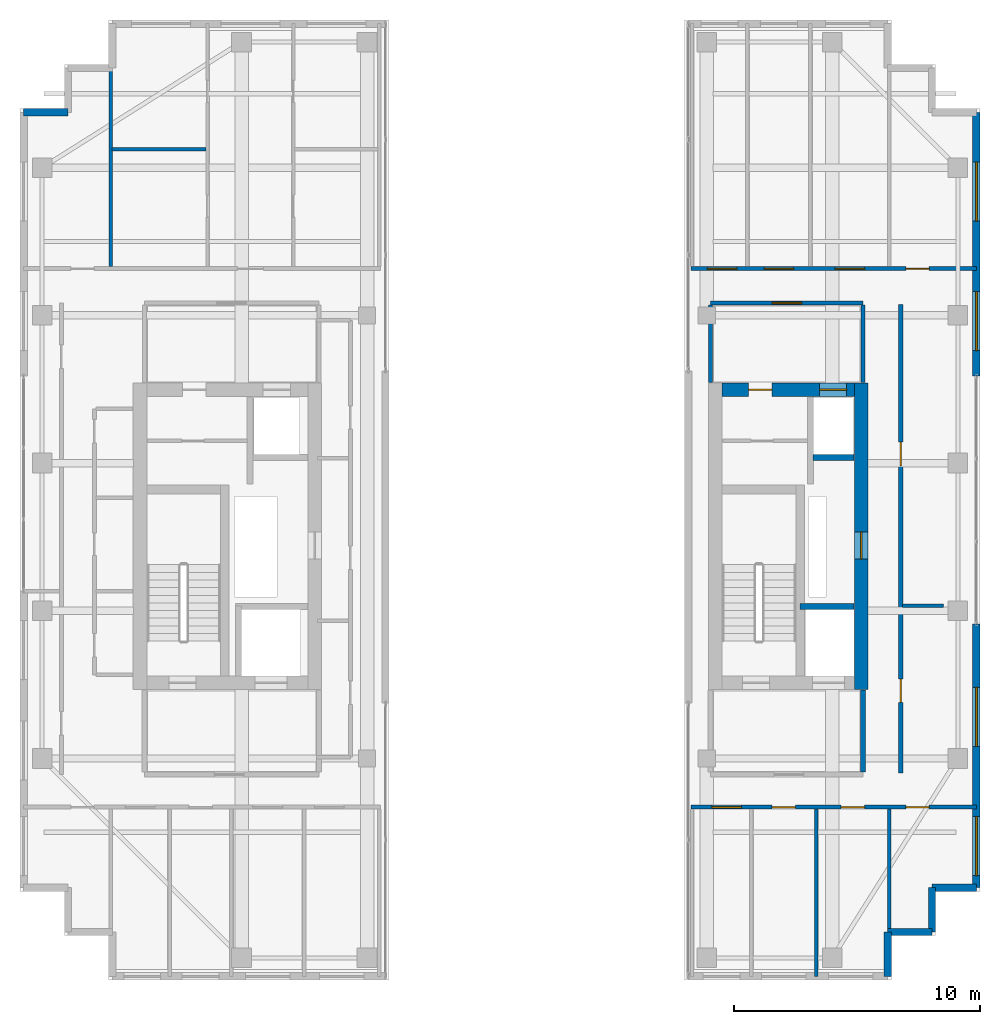
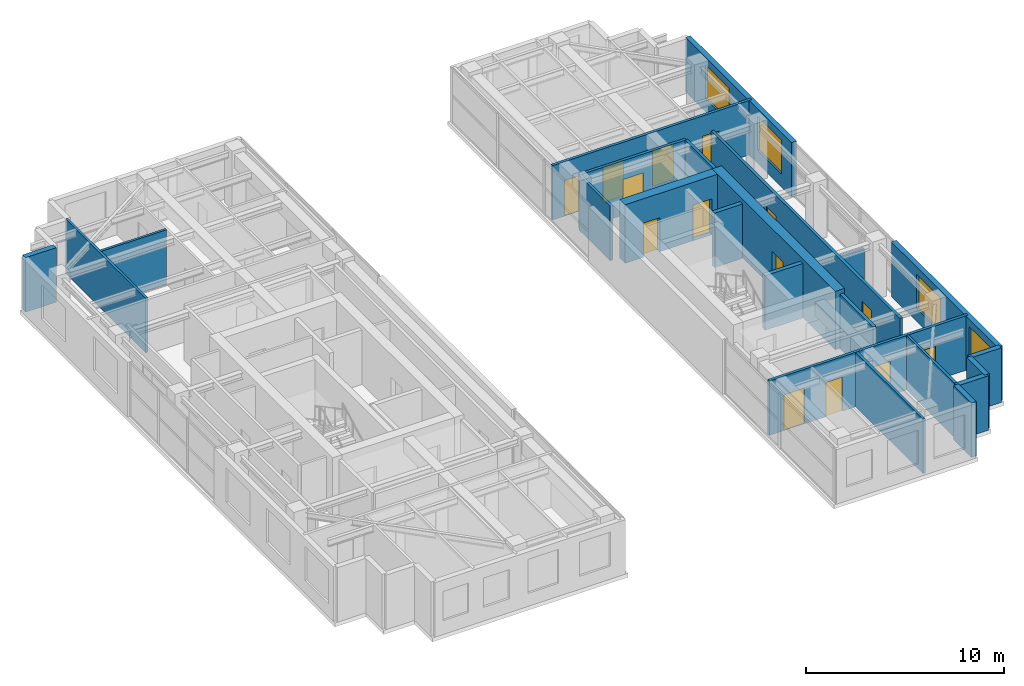
# One storey, part 20 of 23: 23 walls, 14 doors, 4 windows, 18 openings.
"""IFC4 building model written with IfcOpenShell, lengths in metres."""

from ifc_helpers import new_model, si_unit, direction, frame, frame_2d, origin, place, context, subcontext, project, spatial, rectangle, extrude, source, transform, mapped, material, layer, layer_set, type_object, element, fill, save


model = new_model("IFC4")

# Units and contexts
model_context = context("Model", 3, precision=1e-05, world=origin(), true_north=direction((0.0, 1.0)))
body_context = subcontext(model_context, "Body", "Model", "MODEL_VIEW")
ifc_project = project(units=[si_unit("LENGTHUNIT", "METRE"), si_unit("AREAUNIT", "SQUARE_METRE"), si_unit("VOLUMEUNIT", "CUBIC_METRE"), si_unit("PLANEANGLEUNIT", "RADIAN"), si_unit("MASSUNIT", "GRAM", prefix="KILO")], contexts=[model_context])

# Site, building, storey
site_placement = place(None, origin())
site = spatial("IfcSite", under=ifc_project, at=site_placement, CompositionType="ELEMENT")
building_placement = place(site_placement, origin())
building = spatial("IfcBuilding", under=site, at=building_placement, Name="Khoralis Quay Care Tower", CompositionType="ELEMENT")
storey_placement = place(building_placement, frame((0.0, 0.0, 252.89990234375)))
storey = spatial("IfcBuildingStorey", under=building, at=storey_placement, Name="L66", CompositionType="ELEMENT", Elevation=252.89990234375)

# Wall
ifc_material_1 = material(Name="Gypsum plasterboard on acoustic metal stud")
ifc_layer_1 = layer(ifc_material_1, 0.199951171875)
ifc_layer_set_1 = layer_set([ifc_layer_1], Name="Gypsum plasterboard on acoustic metal stud")
wall_type_1 = type_object("IfcWallType", Name="WL-COMP-200", PredefinedType="PARTITIONING", material=ifc_layer_set_1)
wall_1_placement = place(storey_placement, frame((37.25, 11.445068359375, 0.0), z_axis=(0.0, 0.0, 1.0), x_axis=(0.0, 1.0, 0.0)))
element("IfcWall", 1, at=wall_1_placement, inside=storey, type_object=wall_type_1, Name="L66 East Firefighting Lobby East Wall", PredefinedType="PARTITIONING", context=body_context, shape_type="SweptSolid", body=[
    extrude(rectangle(XDim=3.3349609375, YDim=0.199951171875, at=frame_2d((1.66748046875, 0.0))), origin(), (0.0, 0.0, 1.0), 3.360107421875),
])

# Wall, opening, door
ifc_material_2 = material(Name="Concrete C65/80", Category="concrete")
ifc_layer_2 = layer(ifc_material_2, 0.550048828125)
ifc_layer_set_2 = layer_set([ifc_layer_2], Name="Concrete C65/80")
wall_type_2 = type_object("IfcWallType", Name="WL-CORE-550", PredefinedType="SHEAR", material=ifc_layer_set_2)
wall_2_placement = place(storey_placement, frame((37.175048828125, 14.800048828125, 0.0), z_axis=(0.0, 0.0, 1.0), x_axis=(0.0, 1.0, 0.0)))
wall_2 = element("IfcWall", 2, at=wall_2_placement, inside=storey, type_object=wall_type_2, Name="L66 ECORE East Shear Wall", PredefinedType="SHEAR", context=body_context, shape_type="SweptSolid", body=[
    extrude(rectangle(XDim=12.449951171875, YDim=0.550048828125, at=frame_2d((6.22509765625, 0.0))), origin(), (0.0, 0.0, 1.0), 3.60009765625),
])
opening_1_placement = place(wall_2_placement, frame((5.300048828125, 0.0, 0.0)))
opening_1 = element("IfcOpeningElement", 3, at=opening_1_placement, cuts=wall_2, Name="Opening SD1", PredefinedType="OPENING", context=body_context, shape_type="SweptSolid", body=[
    extrude(rectangle(XDim=1.10009765625, YDim=2.199951171875, at=frame_2d((0.550048828125, 1.10009765625))), frame((0.0, 0.28515625, 0.0), z_axis=(0.0, -1.0, 0.0), x_axis=(1.0, 0.0, 0.0)), (0.0, 0.0, 1.0), 0.570068359375),
])
ifc_material_3 = material(Name="Fire-rated painted steel", Category="steel")
door_type_1 = type_object("IfcDoorType", Name="DR-STAIR-1100X2200", OperationType="NOTDEFINED", PredefinedType="DOOR", material=ifc_material_3)
shared_shape_1 = source(origin(), body_context, "Body", "SweptSolid", [
    extrude(rectangle(XDim=1.10009765625, YDim=2.199951171875, at=frame_2d((0.550048828125, 1.10009765625))), frame((0.0, 0.02490234375, 0.0), z_axis=(0.0, -1.0, 0.0), x_axis=(1.0, 0.0, 0.0)), (0.0, 0.0, 1.0), 0.050048828125),
])
door_1_placement = place(opening_1_placement, frame((1.10009765625, 0.0, 0.0), z_axis=(0.0, 0.0, 1.0), x_axis=(-1.0, 0.0, 0.0)))
door_1 = element("IfcDoor", 4, at=door_1_placement, inside=storey, type_object=door_type_1, Name="L66 East MEP Riser Door", OperationType="SINGLE_SWING_LEFT", OverallHeight=2.199951171875, OverallWidth=1.10009765625, PredefinedType="DOOR", context=body_context, shape_type="MappedRepresentation", body=[
    mapped(shared_shape_1, transform((0.0, 0.0, 0.0), scale=1.0)),
])
fill(opening_1, door_1)

# Wall, openings, doors
wall_3_placement = place(storey_placement, frame((31.52001953125, 26.97509765625, 0.0), z_axis=(0.0, 0.0, 1.0), x_axis=(1.0, 0.0, 0.0)))
wall_3 = element("IfcWall", 5, at=wall_3_placement, inside=storey, type_object=wall_type_2, Name="L66 ECORE North Shear Wall", PredefinedType="SHEAR", context=body_context, shape_type="SweptSolid", body=[
    extrude(rectangle(XDim=5.3798828125, YDim=0.550048828125, at=frame_2d((2.68994140625, 0.0))), origin(), (0.0, 0.0, 1.0), 3.60009765625),
])
opening_2_placement = place(wall_3_placement, frame((1.080078125, 0.0, 0.0)))
opening_2 = element("IfcOpeningElement", 6, at=opening_2_placement, cuts=wall_3, Name="Opening ID1", PredefinedType="OPENING", context=body_context, shape_type="SweptSolid", body=[
    extrude(rectangle(XDim=0.949951171875, YDim=2.10009765625, at=frame_2d((0.47509765625, 1.050048828125))), frame((0.0, 0.28515625, 0.0), z_axis=(0.0, -1.0, 0.0), x_axis=(1.0, 0.0, 0.0)), (0.0, 0.0, 1.0), 0.570068359375),
])
opening_3_placement = place(wall_3_placement, frame((3.9599609375, 0.0, 0.0)))
opening_3 = element("IfcOpeningElement", 7, at=opening_3_placement, cuts=wall_3, Name="Opening LD1", PredefinedType="OPENING", context=body_context, shape_type="SweptSolid", body=[
    extrude(rectangle(XDim=1.10009765625, YDim=2.199951171875, at=frame_2d((0.550048828125, 1.10009765625))), frame((0.0, 0.28515625, 0.0), z_axis=(0.0, -1.0, 0.0), x_axis=(1.0, 0.0, 0.0)), (0.0, 0.0, 1.0), 0.570068359375),
])
ifc_material_4 = material(Name="Brushed stainless steel", Category="steel")
door_type_2 = type_object("IfcDoorType", Name="DR-LIFT-1100X2200", OperationType="SLIDING_TO_LEFT", PredefinedType="DOOR", material=ifc_material_4)
shared_shape_2 = source(origin(), body_context, "Body", "SweptSolid", [
    extrude(rectangle(XDim=1.10009765625, YDim=2.199951171875, at=frame_2d((0.550048828125, 1.10009765625))), frame((0.0, 0.02490234375, 0.0), z_axis=(0.0, -1.0, 0.0), x_axis=(1.0, 0.0, 0.0)), (0.0, 0.0, 1.0), 0.050048828125),
])
door_2_placement = place(opening_3_placement, origin())
door_2 = element("IfcDoor", 8, at=door_2_placement, inside=storey, type_object=door_type_2, Name="L66 Lift PLH2 Landing Door", OperationType="SLIDING_TO_LEFT", OverallHeight=2.199951171875, OverallWidth=1.10009765625, PredefinedType="DOOR", context=body_context, shape_type="MappedRepresentation", body=[
    mapped(shared_shape_2, transform((0.0, 0.0, 0.0), scale=1.0)),
])
fill(opening_3, door_2)
ifc_material_5 = material(Name="Acoustic hardwood timber", Category="wood")
door_type_3 = type_object("IfcDoorType", Name="DR-ROOM-950X2100", OperationType="NOTDEFINED", PredefinedType="DOOR", material=ifc_material_5)
shared_shape_3 = source(origin(), body_context, "Body", "SweptSolid", [
    extrude(rectangle(XDim=0.949951171875, YDim=2.10009765625, at=frame_2d((0.47509765625, 1.050048828125))), frame((0.0, 0.02490234375, 0.0), z_axis=(0.0, -1.0, 0.0), x_axis=(1.0, 0.0, 0.0)), (0.0, 0.0, 1.0), 0.050048828125),
])
door_3_placement = place(opening_2_placement, frame((0.949951171875, 0.0, 0.0), z_axis=(0.0, 0.0, 1.0), x_axis=(-1.0, 0.0, 0.0)))
door_3 = element("IfcDoor", 9, at=door_3_placement, inside=storey, type_object=door_type_3, Name="L66 Nutrition Pantry Door", OperationType="SINGLE_SWING_LEFT", OverallHeight=2.10009765625, OverallWidth=0.949951171875, PredefinedType="DOOR", context=body_context, shape_type="MappedRepresentation", body=[
    mapped(shared_shape_3, transform((0.0, 0.0, 0.0), scale=1.0)),
])
fill(opening_2, door_3)

# Wall, opening, door
ifc_layer_3 = layer(ifc_material_1, 0.1650390625)
ifc_layer_set_3 = layer_set([ifc_layer_3], Name="Gypsum plasterboard on acoustic metal stud")
wall_type_3 = type_object("IfcWallType", Name="WL-CORR-165", PredefinedType="PARTITIONING", material=ifc_layer_set_3)
wall_4_placement = place(storey_placement, frame((31.050048828125, 30.5, 0.0), z_axis=(0.0, 0.0, 1.0), x_axis=(1.0, 0.0, 0.0)))
wall_4 = element("IfcWall", 10, at=wall_4_placement, inside=storey, type_object=wall_type_3, Name="L66 East Lift Lobby North Wall", PredefinedType="PARTITIONING", context=body_context, shape_type="SweptSolid", body=[
    extrude(rectangle(XDim=6.199951171875, YDim=0.1650390625, at=frame_2d((3.10009765625, 0.0))), origin(), (0.0, 0.0, 1.0), 3.360107421875),
])
opening_4_placement = place(wall_4_placement, frame((2.5, 0.0, 0.0)))
opening_4 = element("IfcOpeningElement", 11, at=opening_4_placement, cuts=wall_4, Name="Opening FD1", PredefinedType="OPENING", context=body_context, shape_type="SweptSolid", body=[
    extrude(rectangle(XDim=1.199951171875, YDim=2.199951171875, at=frame_2d((0.60009765625, 1.10009765625))), frame((0.0, 0.092529296875, 0.0), z_axis=(0.0, -1.0, 0.0), x_axis=(1.0, 0.0, 0.0)), (0.0, 0.0, 1.0), 0.18505859375),
])
door_type_4 = type_object("IfcDoorType", Name="DR-FFL-1200X2200", OperationType="NOTDEFINED", PredefinedType="DOOR", material=ifc_material_3)
shared_shape_4 = source(origin(), body_context, "Body", "SweptSolid", [
    extrude(rectangle(XDim=1.199951171875, YDim=2.199951171875, at=frame_2d((0.60009765625, 1.10009765625))), frame((0.0, 0.02490234375, 0.0), z_axis=(0.0, -1.0, 0.0), x_axis=(1.0, 0.0, 0.0)), (0.0, 0.0, 1.0), 0.050048828125),
])
door_4_placement = place(opening_4_placement, origin())
door_4 = element("IfcDoor", 12, at=door_4_placement, inside=storey, type_object=door_type_4, Name="L66 East Lift Lobby Double Door", OperationType="DOUBLE_DOOR_SINGLE_SWING", OverallHeight=2.199951171875, OverallWidth=1.199951171875, PredefinedType="DOOR", context=body_context, shape_type="MappedRepresentation", body=[
    mapped(shared_shape_4, transform((0.0, 0.0, 0.0), scale=1.0)),
])
fill(opening_4, door_4)

# Walls
for number, where, z_axis, x_axis, name in (
    (13, (31.050048828125, 27.27001953125, 0.0), (0.0, 0.0, 1.0), (0.0, 1.0, 0.0), "L66 East Lift Lobby West Wall"),
    (14, (37.25, 27.27001953125, 0.0), (0.0, 0.0, 1.0), (0.0, 1.0, 0.0), "L66 East Lift Lobby East Wall"),
):
    element("IfcWall", number, at=place(storey_placement, frame(where, z_axis=z_axis, x_axis=x_axis)), inside=storey, type_object=wall_type_3, Name=name, PredefinedType="PARTITIONING", context=body_context, shape_type="SweptSolid", body=[
        extrude(rectangle(XDim=3.152587890625, YDim=0.1650390625, at=frame_2d((1.576171875, 0.0))), origin(), (0.0, 0.0, 1.0), 3.360107421875),
    ])

# Wall, openings, doors
wall_5_placement = place(storey_placement, frame((30.25, 10.02001953125, 0.0), z_axis=(0.0, 0.0, 1.0), x_axis=(1.0, 0.0, 0.0)))
wall_5 = element("IfcWall", 15, at=wall_5_placement, inside=storey, type_object=wall_type_3, Name="L66 East Wing South Corridor Wall", PredefinedType="PARTITIONING", context=body_context, shape_type="SweptSolid", body=[
    extrude(rectangle(XDim=11.60498046875, YDim=0.1650390625, at=frame_2d((5.802490234375, 0.0))), origin(), (0.0, 0.0, 1.0), 3.360107421875),
])
opening_5_placement = place(wall_5_placement, frame((0.85498046875, 0.0, 0.0)))
opening_5 = element("IfcOpeningElement", 16, at=opening_5_placement, cuts=wall_5, Name="Opening FD1", PredefinedType="OPENING", context=body_context, shape_type="SweptSolid", body=[
    extrude(rectangle(XDim=1.199951171875, YDim=2.199951171875, at=frame_2d((0.60009765625, 1.10009765625))), frame((0.0, 0.092529296875, 0.0), z_axis=(0.0, -1.0, 0.0), x_axis=(1.0, 0.0, 0.0)), (0.0, 0.0, 1.0), 0.18505859375),
])
opening_6_placement = place(wall_5_placement, frame((3.304931640625, 0.0, 0.0)))
opening_6 = element("IfcOpeningElement", 17, at=opening_6_placement, cuts=wall_5, Name="Opening ID1", PredefinedType="OPENING", context=body_context, shape_type="SweptSolid", body=[
    extrude(rectangle(XDim=0.949951171875, YDim=2.10009765625, at=frame_2d((0.47509765625, 1.050048828125))), frame((0.0, 0.092529296875, 0.0), z_axis=(0.0, -1.0, 0.0), x_axis=(1.0, 0.0, 0.0)), (0.0, 0.0, 1.0), 0.18505859375),
])
opening_7_placement = place(wall_5_placement, frame((6.110107421875, 0.0, 0.0)))
opening_7 = element("IfcOpeningElement", 18, at=opening_7_placement, cuts=wall_5, Name="Opening ID1", PredefinedType="OPENING", context=body_context, shape_type="SweptSolid", body=[
    extrude(rectangle(XDim=0.949951171875, YDim=2.10009765625, at=frame_2d((0.47509765625, 1.050048828125))), frame((0.0, 0.092529296875, 0.0), z_axis=(0.0, -1.0, 0.0), x_axis=(1.0, 0.0, 0.0)), (0.0, 0.0, 1.0), 0.18505859375),
])
opening_8_placement = place(wall_5_placement, frame((8.735107421875, 0.0, 0.0)))
opening_8 = element("IfcOpeningElement", 19, at=opening_8_placement, cuts=wall_5, Name="Opening ID1", PredefinedType="OPENING", context=body_context, shape_type="SweptSolid", body=[
    extrude(rectangle(XDim=0.949951171875, YDim=2.10009765625, at=frame_2d((0.47509765625, 1.050048828125))), frame((0.0, 0.092529296875, 0.0), z_axis=(0.0, -1.0, 0.0), x_axis=(1.0, 0.0, 0.0)), (0.0, 0.0, 1.0), 0.18505859375),
])
door_5_placement = place(opening_5_placement, frame((1.199951171875, 0.0, 0.0), z_axis=(0.0, 0.0, 1.0), x_axis=(-1.0, 0.0, 0.0)))
door_5 = element("IfcDoor", 20, at=door_5_placement, inside=storey, type_object=door_type_4, Name="L66 Senior Wellness Pharmacy Shop Door", OperationType="DOUBLE_DOOR_SINGLE_SWING", OverallHeight=2.199951171875, OverallWidth=1.199951171875, PredefinedType="DOOR", context=body_context, shape_type="MappedRepresentation", body=[
    mapped(shared_shape_4, transform((0.0, 0.0, 0.0), scale=1.0)),
])
fill(opening_5, door_5)
door_6_placement = place(opening_6_placement, frame((0.949951171875, 0.0, 0.0), z_axis=(0.0, 0.0, 1.0), x_axis=(-1.0, 0.0, 0.0)))
door_6 = element("IfcDoor", 21, at=door_6_placement, inside=storey, type_object=door_type_3, Name="L66 Family Case Conference Room Door", OperationType="SINGLE_SWING_LEFT", OverallHeight=2.10009765625, OverallWidth=0.949951171875, PredefinedType="DOOR", context=body_context, shape_type="MappedRepresentation", body=[
    mapped(shared_shape_3, transform((0.0, 0.0, 0.0), scale=1.0)),
])
fill(opening_6, door_6)
door_7_placement = place(opening_7_placement, frame((0.949951171875, 0.0, 0.0), z_axis=(0.0, 0.0, 1.0), x_axis=(-1.0, 0.0, 0.0)))
door_7 = element("IfcDoor", 22, at=door_7_placement, inside=storey, type_object=door_type_3, Name="L66 Care Coordination Office Door", OperationType="SINGLE_SWING_RIGHT", OverallHeight=2.10009765625, OverallWidth=0.949951171875, PredefinedType="DOOR", context=body_context, shape_type="MappedRepresentation", body=[
    mapped(shared_shape_3, transform((0.0, 0.0, 0.0), scale=1.0)),
])
fill(opening_7, door_7)
door_8_placement = place(opening_8_placement, frame((0.949951171875, 0.0, 0.0), z_axis=(0.0, 0.0, 1.0), x_axis=(-1.0, 0.0, 0.0)))
door_8 = element("IfcDoor", 23, at=door_8_placement, inside=storey, type_object=door_type_3, Name="L66 SE Corner Door", OperationType="SINGLE_SWING_RIGHT", OverallHeight=2.10009765625, OverallWidth=0.949951171875, PredefinedType="DOOR", context=body_context, shape_type="MappedRepresentation", body=[
    mapped(shared_shape_3, transform((0.0, 0.0, 0.0), scale=1.0)),
])
fill(opening_8, door_8)

wall_6_placement = place(storey_placement, frame((30.25, 31.89990234375, 0.0), z_axis=(0.0, 0.0, 1.0), x_axis=(1.0, 0.0, 0.0)))
wall_6 = element("IfcWall", 24, at=wall_6_placement, inside=storey, type_object=wall_type_3, Name="L66 East Wing North Corridor Wall", PredefinedType="PARTITIONING", context=body_context, shape_type="SweptSolid", body=[
    extrude(rectangle(XDim=11.60498046875, YDim=0.1650390625, at=frame_2d((5.802490234375, 0.0))), origin(), (0.0, 0.0, 1.0), 3.360107421875),
])
opening_9_placement = place(wall_6_placement, frame((0.675048828125, 0.0, 0.0)))
opening_9 = element("IfcOpeningElement", 25, at=opening_9_placement, cuts=wall_6, Name="Opening FD1", PredefinedType="OPENING", context=body_context, shape_type="SweptSolid", body=[
    extrude(rectangle(XDim=1.199951171875, YDim=2.199951171875, at=frame_2d((0.60009765625, 1.10009765625))), frame((0.0, 0.092529296875, 0.0), z_axis=(0.0, -1.0, 0.0), x_axis=(1.0, 0.0, 0.0)), (0.0, 0.0, 1.0), 0.18505859375),
])
opening_10_placement = place(wall_6_placement, frame((2.97998046875, 0.0, 0.0)))
opening_10 = element("IfcOpeningElement", 26, at=opening_10_placement, cuts=wall_6, Name="Opening FD1", PredefinedType="OPENING", context=body_context, shape_type="SweptSolid", body=[
    extrude(rectangle(XDim=1.199951171875, YDim=2.199951171875, at=frame_2d((0.60009765625, 1.10009765625))), frame((0.0, 0.092529296875, 0.0), z_axis=(0.0, -1.0, 0.0), x_axis=(1.0, 0.0, 0.0)), (0.0, 0.0, 1.0), 0.18505859375),
])
opening_11_placement = place(wall_6_placement, frame((5.864990234375, 0.0, 0.0)))
opening_11 = element("IfcOpeningElement", 27, at=opening_11_placement, cuts=wall_6, Name="Opening FD1", PredefinedType="OPENING", context=body_context, shape_type="SweptSolid", body=[
    extrude(rectangle(XDim=1.199951171875, YDim=2.199951171875, at=frame_2d((0.60009765625, 1.10009765625))), frame((0.0, 0.092529296875, 0.0), z_axis=(0.0, -1.0, 0.0), x_axis=(1.0, 0.0, 0.0)), (0.0, 0.0, 1.0), 0.18505859375),
])
opening_12_placement = place(wall_6_placement, frame((8.735107421875, 0.0, 0.0)))
opening_12 = element("IfcOpeningElement", 28, at=opening_12_placement, cuts=wall_6, Name="Opening ID1", PredefinedType="OPENING", context=body_context, shape_type="SweptSolid", body=[
    extrude(rectangle(XDim=0.949951171875, YDim=2.10009765625, at=frame_2d((0.47509765625, 1.050048828125))), frame((0.0, 0.092529296875, 0.0), z_axis=(0.0, -1.0, 0.0), x_axis=(1.0, 0.0, 0.0)), (0.0, 0.0, 1.0), 0.18505859375),
])
door_9_placement = place(opening_9_placement, origin())
door_9 = element("IfcDoor", 29, at=door_9_placement, inside=storey, type_object=door_type_4, Name="L66 Senior Wellness Pharmacy Shop Door", OperationType="DOUBLE_DOOR_SINGLE_SWING", OverallHeight=2.199951171875, OverallWidth=1.199951171875, PredefinedType="DOOR", context=body_context, shape_type="MappedRepresentation", body=[
    mapped(shared_shape_4, transform((0.0, 0.0, 0.0), scale=1.0)),
])
fill(opening_9, door_9)
door_10_placement = place(opening_10_placement, origin())
door_10 = element("IfcDoor", 30, at=door_10_placement, inside=storey, type_object=door_type_4, Name="L66 Assisted Communal Dining Room Door", OperationType="DOUBLE_DOOR_SINGLE_SWING", OverallHeight=2.199951171875, OverallWidth=1.199951171875, PredefinedType="DOOR", context=body_context, shape_type="MappedRepresentation", body=[
    mapped(shared_shape_4, transform((0.0, 0.0, 0.0), scale=1.0)),
])
fill(opening_10, door_10)
door_11_placement = place(opening_11_placement, origin())
door_11 = element("IfcDoor", 31, at=door_11_placement, inside=storey, type_object=door_type_4, Name="L66 Resident Communal Day Lounge Door", OperationType="DOUBLE_DOOR_SINGLE_SWING", OverallHeight=2.199951171875, OverallWidth=1.199951171875, PredefinedType="DOOR", context=body_context, shape_type="MappedRepresentation", body=[
    mapped(shared_shape_4, transform((0.0, 0.0, 0.0), scale=1.0)),
])
fill(opening_11, door_11)
door_12_placement = place(opening_12_placement, origin())
door_12 = element("IfcDoor", 32, at=door_12_placement, inside=storey, type_object=door_type_3, Name="L66 NE Corner Door", OperationType="SINGLE_SWING_LEFT", OverallHeight=2.10009765625, OverallWidth=0.949951171875, PredefinedType="DOOR", context=body_context, shape_type="MappedRepresentation", body=[
    mapped(shared_shape_3, transform((0.0, 0.0, 0.0), scale=1.0)),
])
fill(opening_12, door_12)

wall_7_placement = place(storey_placement, frame((38.780029296875, 11.39990234375, 0.0), z_axis=(0.0, 0.0, 1.0), x_axis=(0.0, 1.0, 0.0)))
wall_7 = element("IfcWall", 33, at=wall_7_placement, inside=storey, type_object=wall_type_3, Name="L66 East High-Rise Suite Wall", PredefinedType="PARTITIONING", context=body_context, shape_type="SweptSolid", body=[
    extrude(rectangle(XDim=19.050048828125, YDim=0.1650390625, at=frame_2d((9.52490234375, 0.0))), origin(), (0.0, 0.0, 1.0), 3.360107421875),
])
opening_13_placement = place(wall_7_placement, frame((2.875, 0.0, 0.0)))
opening_13 = element("IfcOpeningElement", 34, at=opening_13_placement, cuts=wall_7, Name="Opening ID1", PredefinedType="OPENING", context=body_context, shape_type="SweptSolid", body=[
    extrude(rectangle(XDim=0.949951171875, YDim=2.10009765625, at=frame_2d((0.47509765625, 1.050048828125))), frame((0.0, 0.092529296875, 0.0), z_axis=(0.0, -1.0, 0.0), x_axis=(1.0, 0.0, 0.0)), (0.0, 0.0, 1.0), 0.18505859375),
])
opening_14_placement = place(wall_7_placement, frame((12.5, 0.0, 0.0)))
opening_14 = element("IfcOpeningElement", 35, at=opening_14_placement, cuts=wall_7, Name="Opening ID1", PredefinedType="OPENING", context=body_context, shape_type="SweptSolid", body=[
    extrude(rectangle(XDim=0.949951171875, YDim=2.10009765625, at=frame_2d((0.47509765625, 1.050048828125))), frame((0.0, 0.092529296875, 0.0), z_axis=(0.0, -1.0, 0.0), x_axis=(1.0, 0.0, 0.0)), (0.0, 0.0, 1.0), 0.18505859375),
])
door_13_placement = place(opening_13_placement, origin())
door_13 = element("IfcDoor", 36, at=door_13_placement, inside=storey, type_object=door_type_3, Name="L66 East High-Rise Rehab Clinic Door", OperationType="SINGLE_SWING_LEFT", OverallHeight=2.10009765625, OverallWidth=0.949951171875, PredefinedType="DOOR", context=body_context, shape_type="MappedRepresentation", body=[
    mapped(shared_shape_3, transform((0.0, 0.0, 0.0), scale=1.0)),
])
fill(opening_13, door_13)
door_14_placement = place(opening_14_placement, origin())
door_14 = element("IfcDoor", 37, at=door_14_placement, inside=storey, type_object=door_type_3, Name="L66 East High-Rise Reading Suite Door", OperationType="SINGLE_SWING_RIGHT", OverallHeight=2.10009765625, OverallWidth=0.949951171875, PredefinedType="DOOR", context=body_context, shape_type="MappedRepresentation", body=[
    mapped(shared_shape_3, transform((0.0, 0.0, 0.0), scale=1.0)),
])
fill(opening_14, door_14)

# Walls
ifc_material_6 = material(Name="Precast concrete C45/55", Category="concrete")
ifc_layer_4 = layer(ifc_material_6, 0.300048828125)
ifc_layer_set_4 = layer_set([ifc_layer_4], Name="Precast concrete C45/55")
wall_type_4 = type_object("IfcWallType", Name="WL-EXT-REF-300", PredefinedType="SOLIDWALL", material=ifc_layer_set_4)
for number, where, z_axis, x_axis, name in (
    (38, (4.949951171875, 38.25, 0.0), (0.0, 0.0, 1.0), (-1.0, 0.0, 0.0), "L66 External Facade Wall WL-EXT-L66-P1-C6"),
    (39, (38.25, 3.14990234375, 0.0), (0.0, 0.0, 1.0), (0.0, 1.0, 0.0), "L66 External Facade Wall WL-EXT-L66-P2-C1"),
    (40, (38.25, 4.949951171875, 0.0), (0.0, 0.0, 1.0), (1.0, 0.0, 0.0), "L66 External Facade Wall WL-EXT-L66-P2-C2"),
    (41, (40.050048828125, 4.949951171875, 0.0), (0.0, 0.0, 1.0), (0.0, 1.0, 0.0), "L66 External Facade Wall WL-EXT-L66-P2-C3"),
    (42, (40.050048828125, 6.75, 0.0), (0.0, 0.0, 1.0), (1.0, 0.0, 0.0), "L66 External Facade Wall WL-EXT-L66-P2-C4"),
):
    element("IfcWall", number, at=place(storey_placement, frame(where, z_axis=z_axis, x_axis=x_axis)), inside=storey, type_object=wall_type_4, Name=name, PredefinedType="SOLIDWALL", context=body_context, shape_type="SweptSolid", body=[
        extrude(rectangle(XDim=1.800048828125, YDim=0.300048828125, at=frame_2d((0.89990234375, 0.0))), origin(), (0.0, 0.0, 1.0), 3.360107421875),
    ])

# Wall, openings, windows
wall_8_placement = place(storey_placement, frame((41.85009765625, 6.75, 0.0), z_axis=(0.0, 0.0, 1.0), x_axis=(0.0, 1.0, 0.0)))
wall_8 = element("IfcWall", 43, at=wall_8_placement, inside=storey, type_object=wall_type_4, Name="L66 External Facade Wall WL-EXT-L66-P2-E5A", PredefinedType="SOLIDWALL", context=body_context, shape_type="SweptSolid", body=[
    extrude(rectangle(XDim=10.7099609375, YDim=0.300048828125, at=frame_2d((5.35498046875, 0.0))), origin(), (0.0, 0.0, 1.0), 3.360107421875),
])
opening_15_placement = place(wall_8_placement, frame((0.485107421875, 0.0, 0.800048828125)))
opening_15 = element("IfcOpeningElement", 44, at=opening_15_placement, cuts=wall_8, Name="Opening W1", PredefinedType="OPENING", context=body_context, shape_type="SweptSolid", body=[
    extrude(rectangle(XDim=2.39990234375, YDim=2.10009765625, at=frame_2d((1.199951171875, 1.050048828125))), frame((0.0, 0.16015625, 0.0), z_axis=(0.0, -1.0, 0.0), x_axis=(1.0, 0.0, 0.0)), (0.0, 0.0, 1.0), 0.320068359375),
])
opening_16_placement = place(wall_8_placement, frame((5.739990234375, 0.0, 0.800048828125)))
opening_16 = element("IfcOpeningElement", 45, at=opening_16_placement, cuts=wall_8, Name="Opening W1", PredefinedType="OPENING", context=body_context, shape_type="SweptSolid", body=[
    extrude(rectangle(XDim=2.39990234375, YDim=2.10009765625, at=frame_2d((1.199951171875, 1.050048828125))), frame((0.0, 0.16015625, 0.0), z_axis=(0.0, -1.0, 0.0), x_axis=(1.0, 0.0, 0.0)), (0.0, 0.0, 1.0), 0.320068359375),
])
ifc_material_7 = material(Name="Low-E solar-control double glazing", Category="glass")
window_type = type_object("IfcWindowType", Name="WN-POD-2400X2100", PartitioningType="SINGLE_PANEL", PredefinedType="WINDOW", material=ifc_material_7)
shared_shape_5 = source(origin(), body_context, "Body", "SweptSolid", [
    extrude(rectangle(XDim=2.39990234375, YDim=2.10009765625, at=frame_2d((1.199951171875, 1.050048828125))), frame((0.0, 0.030029296875, 0.0), z_axis=(0.0, -1.0, 0.0), x_axis=(1.0, 0.0, 0.0)), (0.0, 0.0, 1.0), 0.06005859375),
])
window_1_placement = place(opening_15_placement, origin())
window_1 = element("IfcWindow", 46, at=window_1_placement, inside=storey, type_object=window_type, Name="WN-L66-P2-E5A Facade Window 01", OverallHeight=2.10009765625, OverallWidth=2.39990234375, PartitioningType="SINGLE_PANEL", PredefinedType="WINDOW", context=body_context, shape_type="MappedRepresentation", body=[
    mapped(shared_shape_5, transform((0.0, 0.0, 0.0), scale=1.0)),
])
fill(opening_15, window_1)
window_2_placement = place(opening_16_placement, origin())
window_2 = element("IfcWindow", 47, at=window_2_placement, inside=storey, type_object=window_type, Name="WN-L66-P2-E5A Facade Window 02", OverallHeight=2.10009765625, OverallWidth=2.39990234375, PartitioningType="SINGLE_PANEL", PredefinedType="WINDOW", context=body_context, shape_type="MappedRepresentation", body=[
    mapped(shared_shape_5, transform((0.0, 0.0, 0.0), scale=1.0)),
])
fill(opening_16, window_2)

wall_9_placement = place(storey_placement, frame((41.85009765625, 27.5400390625, 0.0), z_axis=(0.0, 0.0, 1.0), x_axis=(0.0, 1.0, 0.0)))
wall_9 = element("IfcWall", 48, at=wall_9_placement, inside=storey, type_object=wall_type_4, Name="L66 External Facade Wall WL-EXT-L66-P2-E5B", PredefinedType="SOLIDWALL", context=body_context, shape_type="SweptSolid", body=[
    extrude(rectangle(XDim=10.7099609375, YDim=0.300048828125, at=frame_2d((5.35498046875, 0.0))), origin(), (0.0, 0.0, 1.0), 3.360107421875),
])
opening_17_placement = place(wall_9_placement, frame((1.030029296875, 0.0, 0.800048828125)))
opening_17 = element("IfcOpeningElement", 49, at=opening_17_placement, cuts=wall_9, Name="Opening W1", PredefinedType="OPENING", context=body_context, shape_type="SweptSolid", body=[
    extrude(rectangle(XDim=2.39990234375, YDim=2.10009765625, at=frame_2d((1.199951171875, 1.050048828125))), frame((0.0, 0.16015625, 0.0), z_axis=(0.0, -1.0, 0.0), x_axis=(1.0, 0.0, 0.0)), (0.0, 0.0, 1.0), 0.320068359375),
])
opening_18_placement = place(wall_9_placement, frame((6.284912109375, 0.0, 0.800048828125)))
opening_18 = element("IfcOpeningElement", 50, at=opening_18_placement, cuts=wall_9, Name="Opening W1", PredefinedType="OPENING", context=body_context, shape_type="SweptSolid", body=[
    extrude(rectangle(XDim=2.39990234375, YDim=2.10009765625, at=frame_2d((1.199951171875, 1.050048828125))), frame((0.0, 0.16015625, 0.0), z_axis=(0.0, -1.0, 0.0), x_axis=(1.0, 0.0, 0.0)), (0.0, 0.0, 1.0), 0.320068359375),
])
window_3_placement = place(opening_17_placement, origin())
window_3 = element("IfcWindow", 51, at=window_3_placement, inside=storey, type_object=window_type, Name="WN-L66-P2-E5B Facade Window 01", OverallHeight=2.10009765625, OverallWidth=2.39990234375, PartitioningType="SINGLE_PANEL", PredefinedType="WINDOW", context=body_context, shape_type="MappedRepresentation", body=[
    mapped(shared_shape_5, transform((0.0, 0.0, 0.0), scale=1.0)),
])
fill(opening_17, window_3)
window_4_placement = place(opening_18_placement, origin())
window_4 = element("IfcWindow", 52, at=window_4_placement, inside=storey, type_object=window_type, Name="WN-L66-P2-E5B Facade Window 02", OverallHeight=2.10009765625, OverallWidth=2.39990234375, PartitioningType="SINGLE_PANEL", PredefinedType="WINDOW", context=body_context, shape_type="MappedRepresentation", body=[
    mapped(shared_shape_5, transform((0.0, 0.0, 0.0), scale=1.0)),
])
fill(opening_18, window_4)

# Walls
ifc_material_8 = material(Name="Moisture-resistant gypsum and ceramic tile")
ifc_layer_5 = layer(ifc_material_8, 0.280029296875)
ifc_layer_set_5 = layer_set([ifc_layer_5], Name="Moisture-resistant gypsum and ceramic tile")
wall_type_5 = type_object("IfcWallType", Name="WL-PLUMB-280", PredefinedType="PLUMBINGWALL", material=ifc_layer_set_5)
wall_10_placement = place(storey_placement, frame((6.7451171875, 36.748046875, 0.0), z_axis=(0.0, 0.0, 1.0), x_axis=(1.0, 0.0, 0.0)))
element("IfcWall", 53, at=wall_10_placement, inside=storey, type_object=wall_type_5, Name="L66 2BR 0 Left Split", PredefinedType="PLUMBINGWALL", context=body_context, shape_type="SweptSolid", body=[
    extrude(rectangle(XDim=3.8134765625, YDim=0.139892578125, at=frame_2d((1.90673828125, 0.0))), origin(), (0.0, 0.0, 1.0), 3.360107421875),
])
ifc_layer_6 = layer(ifc_material_1, 0.239990234375)
ifc_layer_set_6 = layer_set([ifc_layer_6], Name="Gypsum plasterboard on acoustic metal stud")
wall_type_6 = type_object("IfcWallType", Name="WL-SHAFT-240", PredefinedType="PARTITIONING", material=ifc_layer_set_6)
wall_11_placement = place(storey_placement, frame((34.679931640625, 18.169921875, 0.0), z_axis=(0.0, 0.0, 1.0), x_axis=(1.0, 0.0, 0.0)))
element("IfcWall", 54, at=wall_11_placement, inside=storey, type_object=wall_type_6, Name="L66 FFL-2 Shaft Wall North", PredefinedType="PARTITIONING", context=body_context, shape_type="SweptSolid", body=[
    extrude(rectangle(XDim=2.199951171875, YDim=0.239990234375, at=frame_2d((1.10009765625, 0.0))), origin(), (0.0, 0.0, 1.0), 3.360107421875),
])
wall_12_placement = place(storey_placement, frame((35.22509765625, 24.22998046875, 0.0), z_axis=(0.0, 0.0, 1.0), x_axis=(1.0, 0.0, 0.0)))
element("IfcWall", 55, at=wall_12_placement, inside=storey, type_object=wall_type_6, Name="L66 High-Rise Shaft South Wall East", PredefinedType="PARTITIONING", context=body_context, shape_type="SweptSolid", body=[
    extrude(rectangle(XDim=1.65478515625, YDim=0.239990234375, at=frame_2d((0.827392578125, 0.0))), origin(), (0.0, 0.0, 1.0), 3.360107421875),
])
ifc_layer_7 = layer(ifc_material_1, 0.139892578125)
ifc_layer_set_7 = layer_set([ifc_layer_7], Name="Gypsum plasterboard on acoustic metal stud")
wall_type_7 = type_object("IfcWallType", Name="WL-UNIT-140", PredefinedType="PARTITIONING", material=ifc_layer_set_7)
wall_13_placement = place(storey_placement, frame((38.857421875, 18.199951171875, 0.0), z_axis=(0.0, 0.0, 1.0), x_axis=(1.0, 0.0, 0.0)))
element("IfcWall", 56, at=wall_13_placement, inside=storey, type_object=wall_type_7, Name="L66 East High-Rise Split", PredefinedType="PARTITIONING", context=body_context, shape_type="SweptSolid", body=[
    extrude(rectangle(XDim=1.66259765625, YDim=0.139892578125, at=frame_2d((0.831298828125, 0.0))), origin(), (0.0, 0.0, 1.0), 2.960205078125),
])
wall_14_placement = place(storey_placement, frame((6.679931640625, 31.9775390625, 0.0), z_axis=(0.0, 0.0, 1.0), x_axis=(0.0, 1.0, 0.0)))
element("IfcWall", 57, at=wall_14_placement, inside=storey, type_object=wall_type_7, Name="L66 WN Demising Wall 0", PredefinedType="PARTITIONING", context=body_context, shape_type="SweptSolid", body=[
    extrude(rectangle(XDim=8.077392578125, YDim=0.139892578125, at=frame_2d((4.03857421875, 0.0))), origin(), (0.0, 0.0, 1.0), 3.360107421875),
])
wall_15_placement = place(storey_placement, frame((35.35009765625, 3.14501953125, 0.0), z_axis=(0.0, 0.0, 1.0), x_axis=(0.0, 1.0, 0.0)))
element("IfcWall", 58, at=wall_15_placement, inside=storey, type_object=wall_type_7, Name="L66 ES Demising Wall 2", PredefinedType="PARTITIONING", context=body_context, shape_type="SweptSolid", body=[
    extrude(rectangle(XDim=6.79736328125, YDim=0.139892578125, at=frame_2d((3.398681640625, 0.0))), origin(), (0.0, 0.0, 1.0), 3.360107421875),
])
wall_16_placement = place(storey_placement, frame((38.320068359375, 4.945068359375, 0.0), z_axis=(0.0, 0.0, 1.0), x_axis=(0.0, 1.0, 0.0)))
element("IfcWall", 59, at=wall_16_placement, inside=storey, type_object=wall_type_7, Name="L66 ES Demising Wall 3", PredefinedType="PARTITIONING", context=body_context, shape_type="SweptSolid", body=[
    extrude(rectangle(XDim=4.997314453125, YDim=0.139892578125, at=frame_2d((2.49853515625, 0.0))), origin(), (0.0, 0.0, 1.0), 3.360107421875),
])

save(model, "model.ifc")
